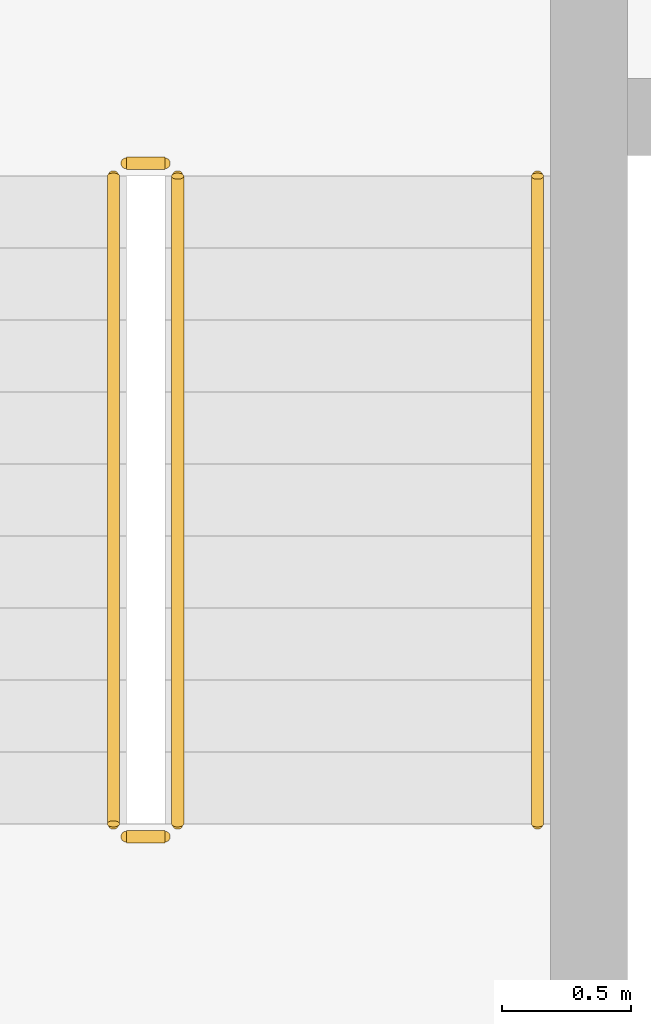
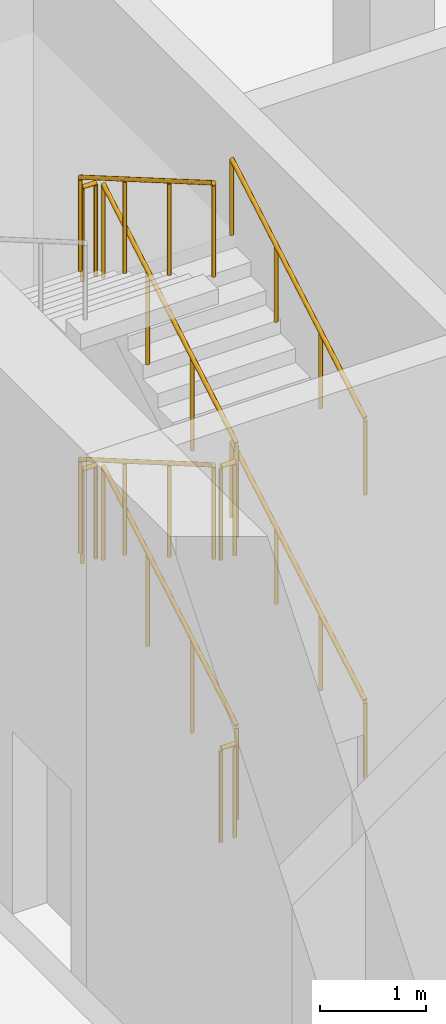
# One storey, part 43 of 51: 10 railings.
"""IFC4 building model written with IfcOpenShell, lengths in metres."""

from ifc_helpers import new_model, si_unit, direction, frame, origin, origin_2d, place, context, subcontext, project, spatial, circle, extrude, material, type_object, element, save


model = new_model("IFC4")

# Units and contexts
model_context = context("Model", 3, precision=1e-05, world=origin(), true_north=direction((0.0, 1.0)))
body_context = subcontext(model_context, "Body", "Model", "MODEL_VIEW")
ifc_project = project(units=[si_unit("LENGTHUNIT", "METRE"), si_unit("AREAUNIT", "SQUARE_METRE"), si_unit("VOLUMEUNIT", "CUBIC_METRE"), si_unit("PLANEANGLEUNIT", "RADIAN"), si_unit("MASSUNIT", "GRAM", prefix="KILO")], contexts=[model_context])

# Site, building, storey
site_placement = place(None, origin())
site = spatial("IfcSite", under=ifc_project, at=site_placement, CompositionType="ELEMENT")
building_placement = place(site_placement, origin())
building = spatial("IfcBuilding", under=site, at=building_placement, Name="Kiln Ring Residences", CompositionType="ELEMENT")
storey_placement = place(building_placement, origin())
storey = spatial("IfcBuildingStorey", under=building, at=storey_placement, Name="L00", CompositionType="ELEMENT", Elevation=0.0)

# Railings
ifc_material_1 = material(Name="Stainless steel", Category="steel")
railing_type_1 = type_object("IfcRailingType", Name="Hall stair guard 1100", PredefinedType="GUARDRAIL", material=ifc_material_1)
railing_1_placement = place(storey_placement, frame((-27.5, -119.550048828125, 0.16259765625)))
element("IfcRailing", 1, at=railing_1_placement, inside=storey, type_object=railing_type_1, Name="L00 HALL.ST1 stair guard 1", PredefinedType="GUARDRAIL", context=body_context, shape_type="SweptSolid", body=[
    extrude(circle(Radius=0.02392578125, at=origin_2d()), frame((0.0, 0.0, 1.076171875), z_axis=(0.0, 0.864913338283, 0.50192122615), x_axis=(-1.0, 0.0, 0.0)), (0.0, 0.0, 1.0), 2.91357421875),
    extrude(circle(Radius=0.02099609375, at=origin_2d()), origin(), (0.0, 0.0, 1.0), 1.052001953125),
    extrude(circle(Radius=0.02099609375, at=origin_2d()), frame((0.0, 0.840087890625, 0.487548828125)), (0.0, 0.0, 1.0), 1.052001953125),
    extrude(circle(Radius=0.02099609375, at=origin_2d()), frame((0.0, 1.679931640625, 0.974853515625)), (0.0, 0.0, 1.0), 1.052001953125),
    extrude(circle(Radius=0.02099609375, at=origin_2d()), frame((0.0, 2.52001953125, 1.46240234375)), (0.0, 0.0, 1.0), 1.052001953125),
])
railing_2_placement = place(storey_placement, frame((-27.550048828125, -116.97998046875, 1.625)))
element("IfcRailing", 2, at=railing_2_placement, inside=storey, type_object=railing_type_1, Name="L00 HALL.ST1 stair guard 2", PredefinedType="GUARDRAIL", context=body_context, shape_type="SweptSolid", body=[
    extrude(circle(Radius=0.02392578125, at=origin_2d()), frame((0.0, 0.0, 1.076171875), z_axis=(-1.0, 0.0, 0.0), x_axis=(0.0, -1.0, 0.0)), (0.0, 0.0, 1.0), 0.14990234375),
    extrude(circle(Radius=0.02099609375, at=origin_2d()), origin(), (0.0, 0.0, 1.0), 1.052001953125),
    extrude(circle(Radius=0.02099609375, at=origin_2d()), frame((-0.14990234375, 0.0, 0.0)), (0.0, 0.0, 1.0), 1.052001953125),
])
railing_3_placement = place(storey_placement, frame((-27.75, -117.030029296875, 1.78759765625)))
element("IfcRailing", 3, at=railing_3_placement, inside=storey, type_object=railing_type_1, Name="L00 HALL.ST1 stair guard 3", PredefinedType="GUARDRAIL", context=body_context, shape_type="SweptSolid", body=[
    extrude(circle(Radius=0.02392578125, at=origin_2d()), frame((0.0, 0.0, 1.076171875), z_axis=(0.0, -0.864913338283, 0.50192122615), x_axis=(1.0, 0.0, 0.0)), (0.0, 0.0, 1.0), 2.91357421875),
    extrude(circle(Radius=0.02099609375, at=origin_2d()), origin(), (0.0, 0.0, 1.0), 1.052001953125),
    extrude(circle(Radius=0.02099609375, at=origin_2d()), frame((0.0, -0.840087890625, 0.487548828125)), (0.0, 0.0, 1.0), 1.052001953125),
    extrude(circle(Radius=0.02099609375, at=origin_2d()), frame((0.0, -1.679931640625, 0.974853515625)), (0.0, 0.0, 1.0), 1.052001953125),
    extrude(circle(Radius=0.02099609375, at=origin_2d()), frame((0.0, -2.52001953125, 1.46240234375)), (0.0, 0.0, 1.0), 1.052001953125),
])
railing_4_placement = place(storey_placement, frame((-27.550048828125, -119.60009765625, 3.25)))
element("IfcRailing", 4, at=railing_4_placement, inside=storey, type_object=railing_type_1, Name="L00 HALL.ST1 stair guard 4", PredefinedType="GUARDRAIL", context=body_context, shape_type="SweptSolid", body=[
    extrude(circle(Radius=0.02392578125, at=origin_2d()), frame((0.0, 0.0, 1.076171875), z_axis=(-1.0, 0.0, 0.0), x_axis=(0.0, -1.0, 0.0)), (0.0, 0.0, 1.0), 0.14990234375),
    extrude(circle(Radius=0.02099609375, at=origin_2d()), origin(), (0.0, 0.0, 1.0), 1.052001953125),
    extrude(circle(Radius=0.02099609375, at=origin_2d()), frame((-0.14990234375, 0.0, 0.0)), (0.0, 0.0, 1.0), 1.052001953125),
])
railing_5_placement = place(storey_placement, frame((-27.5, -119.550048828125, 3.41259765625)))
element("IfcRailing", 5, at=railing_5_placement, inside=storey, type_object=railing_type_1, Name="L00 HALL.ST1 stair guard 5", PredefinedType="GUARDRAIL", context=body_context, shape_type="SweptSolid", body=[
    extrude(circle(Radius=0.02392578125, at=origin_2d()), frame((0.0, 0.0, 1.076171875), z_axis=(0.0, 0.864913338283, 0.50192122615), x_axis=(-1.0, 0.0, 0.0)), (0.0, 0.0, 1.0), 2.91357421875),
    extrude(circle(Radius=0.02099609375, at=origin_2d()), origin(), (0.0, 0.0, 1.0), 1.052001953125),
    extrude(circle(Radius=0.02099609375, at=origin_2d()), frame((0.0, 0.840087890625, 0.487548828125)), (0.0, 0.0, 1.0), 1.052001953125),
    extrude(circle(Radius=0.02099609375, at=origin_2d()), frame((0.0, 1.679931640625, 0.974853515625)), (0.0, 0.0, 1.0), 1.052001953125),
    extrude(circle(Radius=0.02099609375, at=origin_2d()), frame((0.0, 2.52001953125, 1.46240234375)), (0.0, 0.0, 1.0), 1.052001953125),
])
railing_6_placement = place(storey_placement, frame((-27.550048828125, -116.97998046875, 4.875)))
element("IfcRailing", 6, at=railing_6_placement, inside=storey, type_object=railing_type_1, Name="L00 HALL.ST1 stair guard 6", PredefinedType="GUARDRAIL", context=body_context, shape_type="SweptSolid", body=[
    extrude(circle(Radius=0.02392578125, at=origin_2d()), frame((0.0, 0.0, 1.076171875), z_axis=(-1.0, 0.0, 0.0), x_axis=(0.0, -1.0, 0.0)), (0.0, 0.0, 1.0), 0.14990234375),
    extrude(circle(Radius=0.02099609375, at=origin_2d()), origin(), (0.0, 0.0, 1.0), 1.052001953125),
    extrude(circle(Radius=0.02099609375, at=origin_2d()), frame((-0.14990234375, 0.0, 0.0)), (0.0, 0.0, 1.0), 1.052001953125),
])
railing_7_placement = place(storey_placement, frame((-27.75, -117.030029296875, 5.03759765625)))
element("IfcRailing", 7, at=railing_7_placement, inside=storey, type_object=railing_type_1, Name="L00 HALL.ST1 stair guard 7", PredefinedType="GUARDRAIL", context=body_context, shape_type="SweptSolid", body=[
    extrude(circle(Radius=0.02392578125, at=origin_2d()), frame((0.0, 0.0, 1.076171875), z_axis=(0.0, -0.864913338283, 0.50192122615), x_axis=(1.0, 0.0, 0.0)), (0.0, 0.0, 1.0), 2.91357421875),
    extrude(circle(Radius=0.02099609375, at=origin_2d()), origin(), (0.0, 0.0, 1.0), 1.052001953125),
    extrude(circle(Radius=0.02099609375, at=origin_2d()), frame((0.0, -0.840087890625, 0.487548828125)), (0.0, 0.0, 1.0), 1.052001953125),
    extrude(circle(Radius=0.02099609375, at=origin_2d()), frame((0.0, -1.679931640625, 0.974853515625)), (0.0, 0.0, 1.0), 1.052001953125),
    extrude(circle(Radius=0.02099609375, at=origin_2d()), frame((0.0, -2.52001953125, 1.46240234375)), (0.0, 0.0, 1.0), 1.052001953125),
])
railing_8_placement = place(storey_placement, frame((-27.550048828125, -119.60009765625, 0.0)))
element("IfcRailing", 8, at=railing_8_placement, inside=storey, type_object=railing_type_1, Name="L00 HALL.ST1 stair guard 8", PredefinedType="GUARDRAIL", context=body_context, shape_type="SweptSolid", body=[
    extrude(circle(Radius=0.02392578125, at=origin_2d()), frame((0.0, 0.0, 1.076171875), z_axis=(-1.0, 0.0, 0.0), x_axis=(0.0, -1.0, 0.0)), (0.0, 0.0, 1.0), 0.14990234375),
    extrude(circle(Radius=0.02099609375, at=origin_2d()), origin(), (0.0, 0.0, 1.0), 1.052001953125),
    extrude(circle(Radius=0.02099609375, at=origin_2d()), frame((-0.14990234375, 0.0, 0.0)), (0.0, 0.0, 1.0), 1.052001953125),
])
ifc_material_2 = material(Name="Stainless steel", Category="steel")
railing_type_2 = type_object("IfcRailingType", Name="Hall stair handrail 900", PredefinedType="HANDRAIL", material=ifc_material_2)
for number, where, name in (
    (9, (-26.10009765625, -119.550048828125, 0.16259765625), "L00 HALL.ST1 stair handrail 1"),
    (10, (-26.10009765625, -119.550048828125, 3.41259765625), "L00 HALL.ST1 stair handrail 3"),
):
    element("IfcRailing", number, at=place(storey_placement, frame(where)), inside=storey, type_object=railing_type_2, Name=name, PredefinedType="HANDRAIL", context=body_context, shape_type="SweptSolid", body=[
        extrude(circle(Radius=0.02392578125, at=origin_2d()), frame((0.0, 0.0, 0.8759765625), z_axis=(0.0, 0.864913338283, 0.50192122615), x_axis=(-1.0, 0.0, 0.0)), (0.0, 0.0, 1.0), 2.91357421875),
        extrude(circle(Radius=0.02099609375, at=origin_2d()), origin(), (0.0, 0.0, 1.0), 0.851806640625),
        extrude(circle(Radius=0.02099609375, at=origin_2d()), frame((0.0, 0.840087890625, 0.487548828125)), (0.0, 0.0, 1.0), 0.851806640625),
        extrude(circle(Radius=0.02099609375, at=origin_2d()), frame((0.0, 1.679931640625, 0.974853515625)), (0.0, 0.0, 1.0), 0.851806640625),
        extrude(circle(Radius=0.02099609375, at=origin_2d()), frame((0.0, 2.52001953125, 1.46240234375)), (0.0, 0.0, 1.0), 0.851806640625),
    ])

save(model, "model.ifc")
